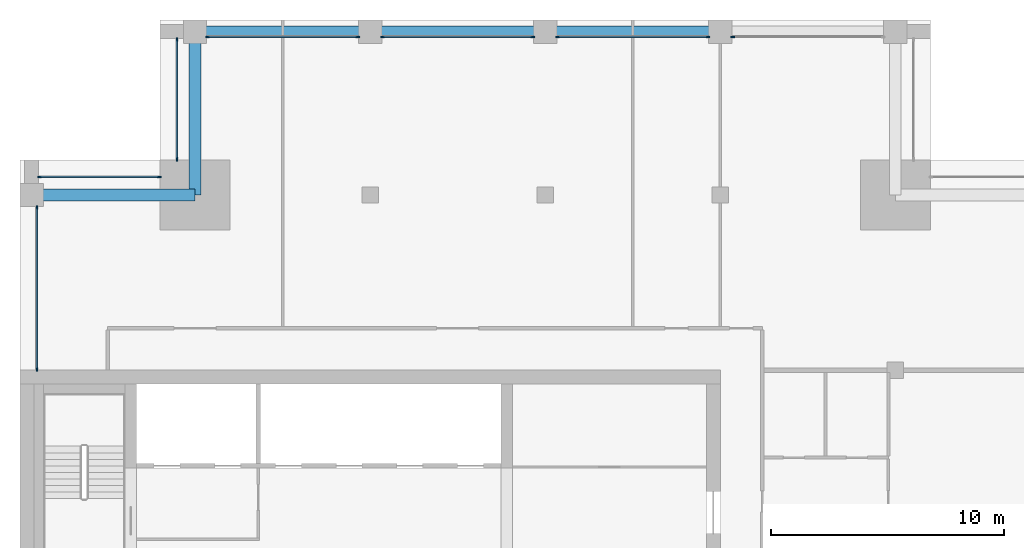
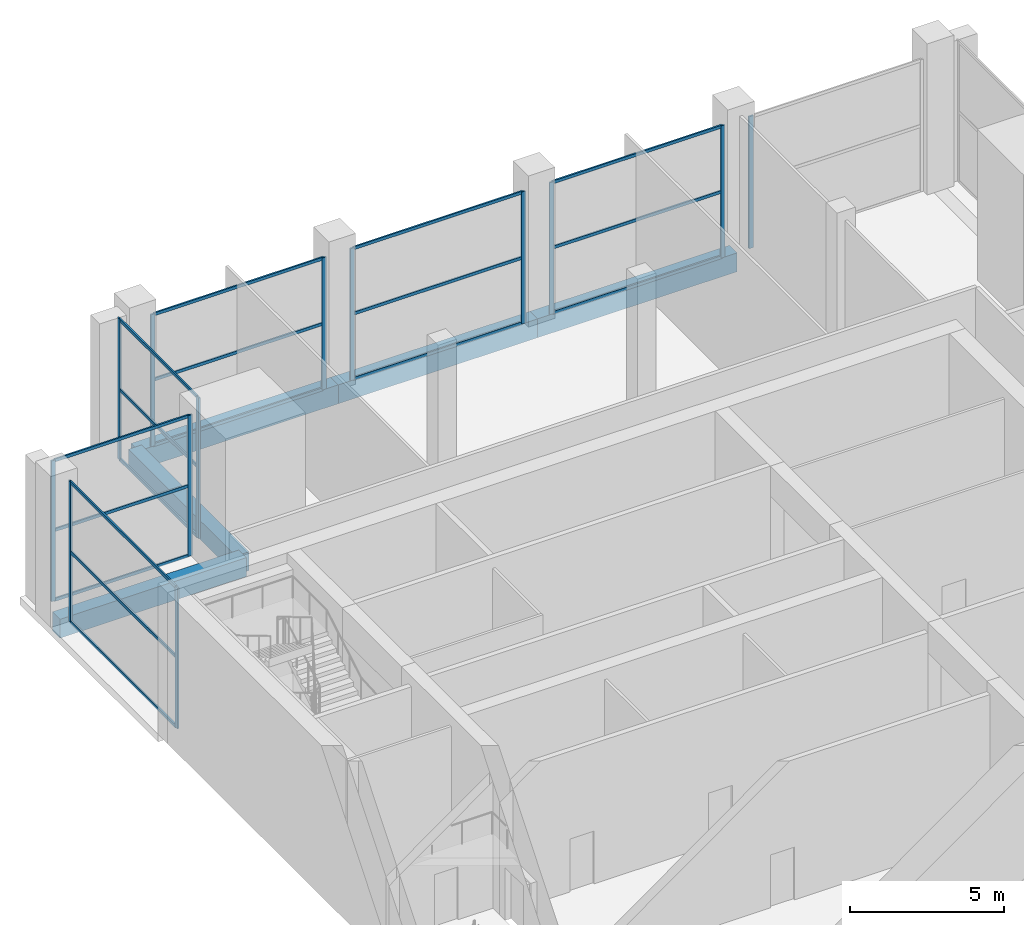
# One storey, part 5 of 15: 31 members, 5 beams, 7 elements without a shape of their own.
"""IFC4 building model written with IfcOpenShell, lengths in metres."""

from ifc_helpers import new_model, si_unit, direction, frame, origin, origin_2d, place, context, subcontext, project, spatial, rectangle, extrude, material, layer, layer_set, material_profile, profile_set, type_object, element, aggregate, save


model = new_model("IFC4")

# Units and contexts
model_context = context("Model", 3, precision=1e-05, world=origin(), true_north=direction((0.0, 1.0)))
body_context = subcontext(model_context, "Body", "Model", "MODEL_VIEW")
ifc_project = project(units=[si_unit("LENGTHUNIT", "METRE"), si_unit("AREAUNIT", "SQUARE_METRE"), si_unit("VOLUMEUNIT", "CUBIC_METRE"), si_unit("PLANEANGLEUNIT", "RADIAN"), si_unit("MASSUNIT", "GRAM", prefix="KILO")], contexts=[model_context])

# Site, building, storey
site_placement = place(None, origin())
site = spatial("IfcSite", under=ifc_project, at=site_placement, CompositionType="ELEMENT")
building_placement = place(site_placement, origin())
building = spatial("IfcBuilding", under=site, at=building_placement, Name="Tamorin Gate", CompositionType="ELEMENT")
storey_placement = place(building_placement, frame((0.0, 0.0, 308.699951171875)))
storey = spatial("IfcBuildingStorey", under=building, at=storey_placement, Name="L76", CompositionType="ELEMENT", Elevation=308.699951171875)

# Curtain wall, member
ifc_material_1 = material(Name="Aluminium mullions and transoms with clear glass", Category="aluminium")
ifc_layer = layer(ifc_material_1, 0.159912109375)
ifc_layer_set = layer_set([ifc_layer], Name="Curtain wall system CW4")
curtain_wall_type = type_object("IfcCurtainWallType", Name="Curtain wall system CW4", PredefinedType="NOTDEFINED", material=ifc_layer_set)
curtain_wall_1_placement = place(storey_placement, origin())
curtain_wall_1 = element("IfcCurtainWall", 1, at=curtain_wall_1_placement, inside=storey, type_object=curtain_wall_type, Name="Curtain wall", PredefinedType="NOTDEFINED")
ifc_material_2 = material(Name="Aluminium", Category="aluminium")
ifc_material_profile_1 = material_profile(ifc_material_2, rectangle(XDim=0.06005859375, YDim=0.159912109375, at=origin_2d()), Name="RECT 60x160")
ifc_profile_set_1 = profile_set([ifc_material_profile_1], Name="Aluminium")
member_type_1 = type_object("IfcMemberType", Name="Aluminium mullion 60x160", PredefinedType="MULLION", material=ifc_profile_set_1)
member_1_placement = place(storey_placement, frame((60.530029296875, 96.780029296875, 0.0), z_axis=(0.0, 0.0, 1.0), x_axis=(0.0, -1.0, 0.0)))
member_1 = element("IfcMember", 2, at=member_1_placement, type_object=member_type_1, Name="CW4 mullion 2", PredefinedType="MULLION", context=body_context, shape_type="SweptSolid", body=[
    extrude(rectangle(XDim=0.06005859375, YDim=0.159912109375, at=origin_2d()), origin(), (0.0, 0.0, 1.0), 5.25),
])
aggregate(curtain_wall_1, [member_1])

# Curtain wall, members
curtain_wall_2_placement = place(storey_placement, origin())
curtain_wall_2 = element("IfcCurtainWall", 3, at=curtain_wall_2_placement, inside=storey, type_object=curtain_wall_type, Name="Curtain wall", PredefinedType="NOTDEFINED")
member_2_placement = place(storey_placement, frame((59.469970703125, 96.780029296875, 0.0), z_axis=(0.0, 0.0, 1.0), x_axis=(0.0, -1.0, 0.0)))
member_2 = element("IfcMember", 4, at=member_2_placement, type_object=member_type_1, Name="CW4 mullion 1", PredefinedType="MULLION", context=body_context, shape_type="SweptSolid", body=[
    extrude(rectangle(XDim=0.06005859375, YDim=0.159912109375, at=origin_2d()), origin(), (0.0, 0.0, 1.0), 5.25),
])
member_3_placement = place(storey_placement, frame((53.030029296875, 96.780029296875, 0.0), z_axis=(0.0, 0.0, 1.0), x_axis=(0.0, -1.0, 0.0)))
member_3 = element("IfcMember", 5, at=member_3_placement, type_object=member_type_1, Name="CW4 mullion 2", PredefinedType="MULLION", context=body_context, shape_type="SweptSolid", body=[
    extrude(rectangle(XDim=0.06005859375, YDim=0.159912109375, at=origin_2d()), origin(), (0.0, 0.0, 1.0), 5.25),
])

curtain_wall_3_placement = place(storey_placement, origin())
curtain_wall_3 = element("IfcCurtainWall", 6, at=curtain_wall_3_placement, inside=storey, type_object=curtain_wall_type, Name="Curtain wall", PredefinedType="NOTDEFINED")
member_4_placement = place(storey_placement, frame((51.969970703125, 96.780029296875, 0.0), z_axis=(0.0, 0.0, 1.0), x_axis=(0.0, -1.0, 0.0)))
member_4 = element("IfcMember", 7, at=member_4_placement, type_object=member_type_1, Name="CW4 mullion 1", PredefinedType="MULLION", context=body_context, shape_type="SweptSolid", body=[
    extrude(rectangle(XDim=0.06005859375, YDim=0.159912109375, at=origin_2d()), origin(), (0.0, 0.0, 1.0), 5.25),
])
member_5_placement = place(storey_placement, frame((45.530029296875, 96.780029296875, 0.0), z_axis=(0.0, 0.0, 1.0), x_axis=(0.0, -1.0, 0.0)))
member_5 = element("IfcMember", 8, at=member_5_placement, type_object=member_type_1, Name="CW4 mullion 2", PredefinedType="MULLION", context=body_context, shape_type="SweptSolid", body=[
    extrude(rectangle(XDim=0.06005859375, YDim=0.159912109375, at=origin_2d()), origin(), (0.0, 0.0, 1.0), 5.25),
])

curtain_wall_4_placement = place(storey_placement, origin())
curtain_wall_4 = element("IfcCurtainWall", 9, at=curtain_wall_4_placement, inside=storey, type_object=curtain_wall_type, Name="Curtain wall", PredefinedType="NOTDEFINED")
member_6_placement = place(storey_placement, frame((44.469970703125, 96.780029296875, 0.0), z_axis=(0.0, 0.0, 1.0), x_axis=(0.0, -1.0, 0.0)))
member_6 = element("IfcMember", 10, at=member_6_placement, type_object=member_type_1, Name="CW4 mullion 1", PredefinedType="MULLION", context=body_context, shape_type="SweptSolid", body=[
    extrude(rectangle(XDim=0.06005859375, YDim=0.159912109375, at=origin_2d()), origin(), (0.0, 0.0, 1.0), 5.25),
])
member_7_placement = place(storey_placement, frame((38.030029296875, 96.780029296875, 0.0), z_axis=(0.0, 0.0, 1.0), x_axis=(0.0, -1.0, 0.0)))
member_7 = element("IfcMember", 11, at=member_7_placement, type_object=member_type_1, Name="CW4 mullion 2", PredefinedType="MULLION", context=body_context, shape_type="SweptSolid", body=[
    extrude(rectangle(XDim=0.06005859375, YDim=0.159912109375, at=origin_2d()), origin(), (0.0, 0.0, 1.0), 5.25),
])

curtain_wall_5_placement = place(storey_placement, origin())
curtain_wall_5 = element("IfcCurtainWall", 12, at=curtain_wall_5_placement, inside=storey, type_object=curtain_wall_type, Name="Curtain wall", PredefinedType="NOTDEFINED")
member_8_placement = place(storey_placement, frame((36.719970703125, 96.669921875, 0.0), z_axis=(0.0, 0.0, 1.0), x_axis=(1.0, 0.0, 0.0)))
member_8 = element("IfcMember", 13, at=member_8_placement, type_object=member_type_1, Name="CW4 mullion 1", PredefinedType="MULLION", context=body_context, shape_type="SweptSolid", body=[
    extrude(rectangle(XDim=0.06005859375, YDim=0.159912109375, at=origin_2d()), origin(), (0.0, 0.0, 1.0), 5.60009765625),
])
member_9_placement = place(storey_placement, frame((36.719970703125, 91.530029296875, 0.0), z_axis=(0.0, 0.0, 1.0), x_axis=(1.0, 0.0, 0.0)))
member_9 = element("IfcMember", 14, at=member_9_placement, type_object=member_type_1, Name="CW4 mullion 2", PredefinedType="MULLION", context=body_context, shape_type="SweptSolid", body=[
    extrude(rectangle(XDim=0.06005859375, YDim=0.159912109375, at=origin_2d()), origin(), (0.0, 0.0, 1.0), 5.60009765625),
])

curtain_wall_6_placement = place(storey_placement, origin())
curtain_wall_6 = element("IfcCurtainWall", 15, at=curtain_wall_6_placement, inside=storey, type_object=curtain_wall_type, Name="Curtain wall", PredefinedType="NOTDEFINED")
member_10_placement = place(storey_placement, frame((35.969970703125, 90.780029296875, 0.0), z_axis=(0.0, 0.0, 1.0), x_axis=(0.0, -1.0, 0.0)))
member_10 = element("IfcMember", 16, at=member_10_placement, type_object=member_type_1, Name="CW4 mullion 1", PredefinedType="MULLION", context=body_context, shape_type="SweptSolid", body=[
    extrude(rectangle(XDim=0.06005859375, YDim=0.159912109375, at=origin_2d()), origin(), (0.0, 0.0, 1.0), 5.60009765625),
])
member_11_placement = place(storey_placement, frame((30.830078125, 90.780029296875, 0.0), z_axis=(0.0, 0.0, 1.0), x_axis=(0.0, -1.0, 0.0)))
member_11 = element("IfcMember", 17, at=member_11_placement, type_object=member_type_1, Name="CW4 mullion 2", PredefinedType="MULLION", context=body_context, shape_type="SweptSolid", body=[
    extrude(rectangle(XDim=0.06005859375, YDim=0.159912109375, at=origin_2d()), origin(), (0.0, 0.0, 1.0), 5.60009765625),
])

curtain_wall_7_placement = place(storey_placement, origin())
curtain_wall_7 = element("IfcCurtainWall", 18, at=curtain_wall_7_placement, inside=storey, type_object=curtain_wall_type, Name="Curtain wall", PredefinedType="NOTDEFINED")
member_12_placement = place(storey_placement, frame((30.719970703125, 89.469970703125, 0.0), z_axis=(0.0, 0.0, 1.0), x_axis=(1.0, 0.0, 0.0)))
member_12 = element("IfcMember", 19, at=member_12_placement, type_object=member_type_1, Name="CW4 mullion 1", PredefinedType="MULLION", context=body_context, shape_type="SweptSolid", body=[
    extrude(rectangle(XDim=0.06005859375, YDim=0.159912109375, at=origin_2d()), origin(), (0.0, 0.0, 1.0), 5.60009765625),
])
member_13_placement = place(storey_placement, frame((30.719970703125, 82.530029296875, 0.0), z_axis=(0.0, 0.0, 1.0), x_axis=(1.0, 0.0, 0.0)))
member_13 = element("IfcMember", 20, at=member_13_placement, type_object=member_type_1, Name="CW4 mullion 2", PredefinedType="MULLION", context=body_context, shape_type="SweptSolid", body=[
    extrude(rectangle(XDim=0.06005859375, YDim=0.159912109375, at=origin_2d()), origin(), (0.0, 0.0, 1.0), 5.60009765625),
])

# Member
ifc_material_profile_2 = material_profile(ifc_material_2, rectangle(XDim=0.06005859375, YDim=0.1201171875, at=origin_2d()), Name="RECT 60x120")
ifc_profile_set_2 = profile_set([ifc_material_profile_2], Name="Aluminium")
member_type_2 = type_object("IfcMemberType", Name="Aluminium transom 60x120", PredefinedType="USERDEFINED", material=ifc_profile_set_2)
member_14_placement = place(storey_placement, frame((59.43994140625, 96.780029296875, 0.030029296875), z_axis=(-1.0, 0.0, 0.0), x_axis=(0.0, -1.0, 0.0)))
member_14 = element("IfcMember", 21, at=member_14_placement, type_object=member_type_2, Name="CW4 transom 1.1", ObjectType="TRANSOM", PredefinedType="USERDEFINED", context=body_context, shape_type="SweptSolid", body=[
    extrude(rectangle(XDim=0.06005859375, YDim=0.1201171875, at=origin_2d()), origin(), (0.0, 0.0, 1.0), 6.3798828125),
])

member_15_placement = place(storey_placement, frame((59.43994140625, 96.780029296875, 2.625), z_axis=(-1.0, 0.0, 0.0), x_axis=(0.0, -1.0, 0.0)))
member_15 = element("IfcMember", 22, at=member_15_placement, type_object=member_type_2, Name="CW4 transom 1.2", ObjectType="TRANSOM", PredefinedType="USERDEFINED", context=body_context, shape_type="SweptSolid", body=[
    extrude(rectangle(XDim=0.06005859375, YDim=0.1201171875, at=origin_2d()), origin(), (0.0, 0.0, 1.0), 6.3798828125),
])

member_16_placement = place(storey_placement, frame((59.43994140625, 96.780029296875, 5.219970703125), z_axis=(-1.0, 0.0, 0.0), x_axis=(0.0, -1.0, 0.0)))
member_16 = element("IfcMember", 23, at=member_16_placement, type_object=member_type_2, Name="CW4 transom 1.3", ObjectType="TRANSOM", PredefinedType="USERDEFINED", context=body_context, shape_type="SweptSolid", body=[
    extrude(rectangle(XDim=0.06005859375, YDim=0.1201171875, at=origin_2d()), origin(), (0.0, 0.0, 1.0), 6.3798828125),
])

aggregate(curtain_wall_2, [member_2, member_3, member_14, member_15, member_16])

member_17_placement = place(storey_placement, frame((51.93994140625, 96.780029296875, 0.030029296875), z_axis=(-1.0, 0.0, 0.0), x_axis=(0.0, -1.0, 0.0)))
member_17 = element("IfcMember", 24, at=member_17_placement, type_object=member_type_2, Name="CW4 transom 1.1", ObjectType="TRANSOM", PredefinedType="USERDEFINED", context=body_context, shape_type="SweptSolid", body=[
    extrude(rectangle(XDim=0.06005859375, YDim=0.1201171875, at=origin_2d()), origin(), (0.0, 0.0, 1.0), 6.3798828125),
])

member_18_placement = place(storey_placement, frame((51.93994140625, 96.780029296875, 2.625), z_axis=(-1.0, 0.0, 0.0), x_axis=(0.0, -1.0, 0.0)))
member_18 = element("IfcMember", 25, at=member_18_placement, type_object=member_type_2, Name="CW4 transom 1.2", ObjectType="TRANSOM", PredefinedType="USERDEFINED", context=body_context, shape_type="SweptSolid", body=[
    extrude(rectangle(XDim=0.06005859375, YDim=0.1201171875, at=origin_2d()), origin(), (0.0, 0.0, 1.0), 6.3798828125),
])

member_19_placement = place(storey_placement, frame((51.93994140625, 96.780029296875, 5.219970703125), z_axis=(-1.0, 0.0, 0.0), x_axis=(0.0, -1.0, 0.0)))
member_19 = element("IfcMember", 26, at=member_19_placement, type_object=member_type_2, Name="CW4 transom 1.3", ObjectType="TRANSOM", PredefinedType="USERDEFINED", context=body_context, shape_type="SweptSolid", body=[
    extrude(rectangle(XDim=0.06005859375, YDim=0.1201171875, at=origin_2d()), origin(), (0.0, 0.0, 1.0), 6.3798828125),
])

aggregate(curtain_wall_3, [member_4, member_5, member_17, member_18, member_19])

member_20_placement = place(storey_placement, frame((44.43994140625, 96.780029296875, 0.030029296875), z_axis=(-1.0, 0.0, 0.0), x_axis=(0.0, -1.0, 0.0)))
member_20 = element("IfcMember", 27, at=member_20_placement, type_object=member_type_2, Name="CW4 transom 1.1", ObjectType="TRANSOM", PredefinedType="USERDEFINED", context=body_context, shape_type="SweptSolid", body=[
    extrude(rectangle(XDim=0.06005859375, YDim=0.1201171875, at=origin_2d()), origin(), (0.0, 0.0, 1.0), 6.3798828125),
])

member_21_placement = place(storey_placement, frame((44.43994140625, 96.780029296875, 2.625), z_axis=(-1.0, 0.0, 0.0), x_axis=(0.0, -1.0, 0.0)))
member_21 = element("IfcMember", 28, at=member_21_placement, type_object=member_type_2, Name="CW4 transom 1.2", ObjectType="TRANSOM", PredefinedType="USERDEFINED", context=body_context, shape_type="SweptSolid", body=[
    extrude(rectangle(XDim=0.06005859375, YDim=0.1201171875, at=origin_2d()), origin(), (0.0, 0.0, 1.0), 6.3798828125),
])

member_22_placement = place(storey_placement, frame((44.43994140625, 96.780029296875, 5.219970703125), z_axis=(-1.0, 0.0, 0.0), x_axis=(0.0, -1.0, 0.0)))
member_22 = element("IfcMember", 29, at=member_22_placement, type_object=member_type_2, Name="CW4 transom 1.3", ObjectType="TRANSOM", PredefinedType="USERDEFINED", context=body_context, shape_type="SweptSolid", body=[
    extrude(rectangle(XDim=0.06005859375, YDim=0.1201171875, at=origin_2d()), origin(), (0.0, 0.0, 1.0), 6.3798828125),
])

aggregate(curtain_wall_4, [member_6, member_7, member_20, member_21, member_22])

member_23_placement = place(storey_placement, frame((36.719970703125, 96.639892578125, 0.030029296875), z_axis=(0.0, -1.0, 0.0), x_axis=(1.0, 0.0, 0.0)))
member_23 = element("IfcMember", 30, at=member_23_placement, type_object=member_type_2, Name="CW4 transom 1.1", ObjectType="TRANSOM", PredefinedType="USERDEFINED", context=body_context, shape_type="SweptSolid", body=[
    extrude(rectangle(XDim=0.06005859375, YDim=0.1201171875, at=origin_2d()), origin(), (0.0, 0.0, 1.0), 5.079833984375),
])

member_24_placement = place(storey_placement, frame((36.719970703125, 96.639892578125, 2.800048828125), z_axis=(0.0, -1.0, 0.0), x_axis=(1.0, 0.0, 0.0)))
member_24 = element("IfcMember", 31, at=member_24_placement, type_object=member_type_2, Name="CW4 transom 1.2", ObjectType="TRANSOM", PredefinedType="USERDEFINED", context=body_context, shape_type="SweptSolid", body=[
    extrude(rectangle(XDim=0.06005859375, YDim=0.1201171875, at=origin_2d()), origin(), (0.0, 0.0, 1.0), 5.079833984375),
])

member_25_placement = place(storey_placement, frame((36.719970703125, 96.639892578125, 5.570068359375), z_axis=(0.0, -1.0, 0.0), x_axis=(1.0, 0.0, 0.0)))
member_25 = element("IfcMember", 32, at=member_25_placement, type_object=member_type_2, Name="CW4 transom 1.3", ObjectType="TRANSOM", PredefinedType="USERDEFINED", context=body_context, shape_type="SweptSolid", body=[
    extrude(rectangle(XDim=0.06005859375, YDim=0.1201171875, at=origin_2d()), origin(), (0.0, 0.0, 1.0), 5.079833984375),
])

aggregate(curtain_wall_5, [member_8, member_9, member_23, member_24, member_25])

member_26_placement = place(storey_placement, frame((35.93994140625, 90.780029296875, 0.030029296875), z_axis=(-1.0, 0.0, 0.0), x_axis=(0.0, -1.0, 0.0)))
member_26 = element("IfcMember", 33, at=member_26_placement, type_object=member_type_2, Name="CW4 transom 1.1", ObjectType="TRANSOM", PredefinedType="USERDEFINED", context=body_context, shape_type="SweptSolid", body=[
    extrude(rectangle(XDim=0.06005859375, YDim=0.1201171875, at=origin_2d()), origin(), (0.0, 0.0, 1.0), 5.079833984375),
])

member_27_placement = place(storey_placement, frame((35.93994140625, 90.780029296875, 2.800048828125), z_axis=(-1.0, 0.0, 0.0), x_axis=(0.0, -1.0, 0.0)))
member_27 = element("IfcMember", 34, at=member_27_placement, type_object=member_type_2, Name="CW4 transom 1.2", ObjectType="TRANSOM", PredefinedType="USERDEFINED", context=body_context, shape_type="SweptSolid", body=[
    extrude(rectangle(XDim=0.06005859375, YDim=0.1201171875, at=origin_2d()), origin(), (0.0, 0.0, 1.0), 5.079833984375),
])

member_28_placement = place(storey_placement, frame((35.93994140625, 90.780029296875, 5.570068359375), z_axis=(-1.0, 0.0, 0.0), x_axis=(0.0, -1.0, 0.0)))
member_28 = element("IfcMember", 35, at=member_28_placement, type_object=member_type_2, Name="CW4 transom 1.3", ObjectType="TRANSOM", PredefinedType="USERDEFINED", context=body_context, shape_type="SweptSolid", body=[
    extrude(rectangle(XDim=0.06005859375, YDim=0.1201171875, at=origin_2d()), origin(), (0.0, 0.0, 1.0), 5.079833984375),
])

aggregate(curtain_wall_6, [member_10, member_11, member_26, member_27, member_28])

member_29_placement = place(storey_placement, frame((30.719970703125, 89.43994140625, 0.030029296875), z_axis=(0.0, -1.0, 0.0), x_axis=(1.0, 0.0, 0.0)))
member_29 = element("IfcMember", 36, at=member_29_placement, type_object=member_type_2, Name="CW4 transom 1.1", ObjectType="TRANSOM", PredefinedType="USERDEFINED", context=body_context, shape_type="SweptSolid", body=[
    extrude(rectangle(XDim=0.06005859375, YDim=0.1201171875, at=origin_2d()), origin(), (0.0, 0.0, 1.0), 6.8798828125),
])

member_30_placement = place(storey_placement, frame((30.719970703125, 89.43994140625, 2.800048828125), z_axis=(0.0, -1.0, 0.0), x_axis=(1.0, 0.0, 0.0)))
member_30 = element("IfcMember", 37, at=member_30_placement, type_object=member_type_2, Name="CW4 transom 1.2", ObjectType="TRANSOM", PredefinedType="USERDEFINED", context=body_context, shape_type="SweptSolid", body=[
    extrude(rectangle(XDim=0.06005859375, YDim=0.1201171875, at=origin_2d()), origin(), (0.0, 0.0, 1.0), 6.8798828125),
])

member_31_placement = place(storey_placement, frame((30.719970703125, 89.43994140625, 5.570068359375), z_axis=(0.0, -1.0, 0.0), x_axis=(1.0, 0.0, 0.0)))
member_31 = element("IfcMember", 38, at=member_31_placement, type_object=member_type_2, Name="CW4 transom 1.3", ObjectType="TRANSOM", PredefinedType="USERDEFINED", context=body_context, shape_type="SweptSolid", body=[
    extrude(rectangle(XDim=0.06005859375, YDim=0.1201171875, at=origin_2d()), origin(), (0.0, 0.0, 1.0), 6.8798828125),
])

aggregate(curtain_wall_7, [member_12, member_13, member_29, member_30, member_31])

# Beams
ifc_material_3 = material(Name="Concrete C50/60", Category="concrete")
ifc_material_profile_3 = material_profile(ifc_material_3, rectangle(XDim=0.5, YDim=0.75, at=origin_2d()), Name="RC 500x750")
ifc_profile_set_3 = profile_set([ifc_material_profile_3], Name="Concrete C50/60")
beam_type = type_object("IfcBeamType", Name="RC spandrel 500x750 C50/60", PredefinedType="BEAM", material=ifc_profile_set_3)
for number, where, z_axis, x_axis, name in (
    (39, (60.0, 97.0, -0.375), (-1.0, 0.0, 0.0), (0.0, -1.0, 0.0), "Spandrel beam L76"),
    (40, (52.5, 97.0, -0.375), (-1.0, 0.0, 0.0), (0.0, -1.0, 0.0), "Spandrel beam L76"),
    (41, (45.0, 97.0, -0.375), (-1.0, 0.0, 0.0), (0.0, -1.0, 0.0), "Spandrel beam L76"),
):
    element("IfcBeam", number, at=place(storey_placement, frame(where, z_axis=z_axis, x_axis=x_axis)), inside=storey, type_object=beam_type, Name=name, PredefinedType="BEAM", context=body_context, shape_type="SweptSolid", body=[
        extrude(rectangle(XDim=0.5, YDim=0.75, at=origin_2d()), origin(), (0.0, 0.0, 1.0), 7.5),
    ])
for number, where, z_axis, x_axis, name in (
    (42, (37.5, 90.0, -0.375), (-1.0, 0.0, 0.0), (0.0, -1.0, 0.0), "Corner tie beam L76"),
    (43, (37.5, 90.0, -0.375), (0.0, 1.0, 0.0), (-1.0, 0.0, 0.0), "Corner tie beam L76"),
):
    element("IfcBeam", number, at=place(storey_placement, frame(where, z_axis=z_axis, x_axis=x_axis)), inside=storey, type_object=beam_type, Name=name, PredefinedType="BEAM", context=body_context, shape_type="SweptSolid", body=[
        extrude(rectangle(XDim=0.5, YDim=0.75, at=origin_2d()), origin(), (0.0, 0.0, 1.0), 7.0),
    ])

save(model, "model.ifc")
